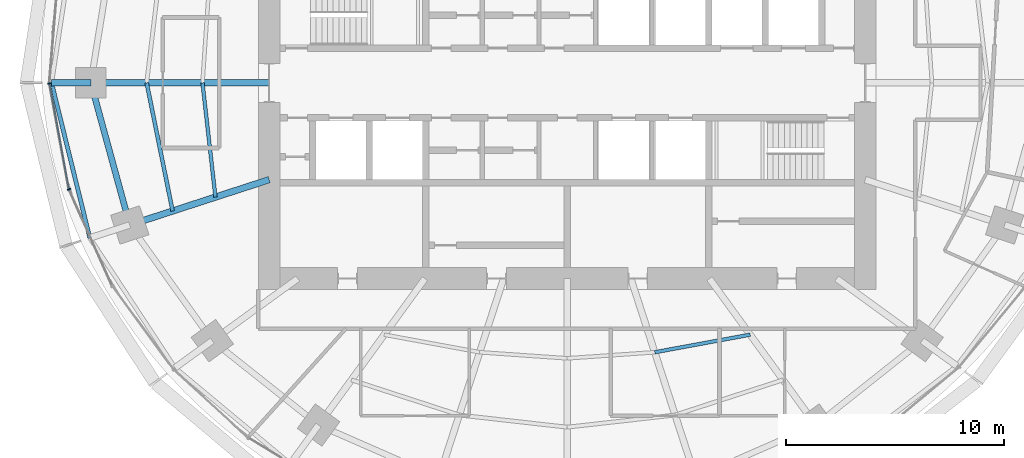
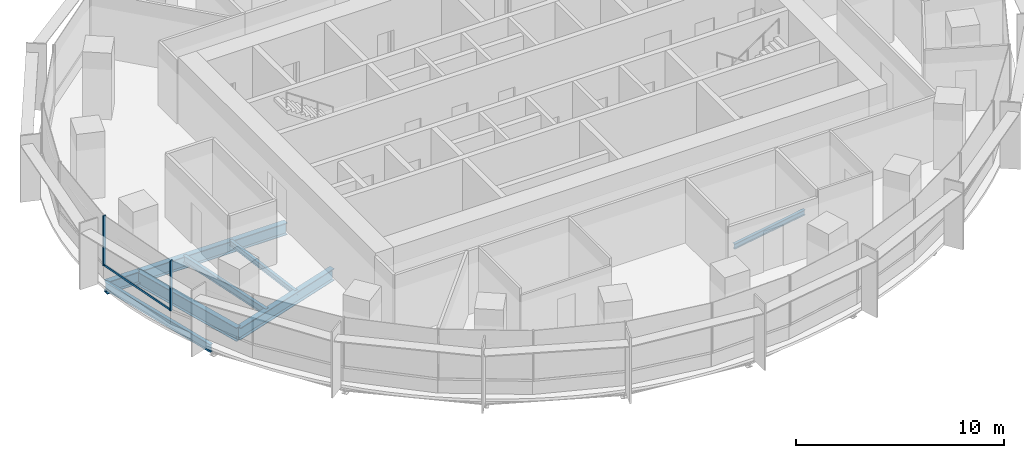
# One storey, part 3 of 15: 8 beams, 3 members, 1 element without a shape of its own.
"""IFC4 building model written with IfcOpenShell, lengths in metres."""

from ifc_helpers import new_model, si_unit, direction, frame, origin, origin_2d, place, context, subcontext, project, spatial, rectangle, i_section, extrude, material, material_profile, profile_set, type_object, element, aggregate, save


model = new_model("IFC4")

# Units and contexts
model_context = context("Model", 3, precision=1e-05, world=origin(), true_north=direction((0.0, 1.0)))
body_context = subcontext(model_context, "Body", "Model", "MODEL_VIEW")
ifc_project = project(units=[si_unit("LENGTHUNIT", "METRE"), si_unit("AREAUNIT", "SQUARE_METRE"), si_unit("VOLUMEUNIT", "CUBIC_METRE"), si_unit("PLANEANGLEUNIT", "RADIAN"), si_unit("MASSUNIT", "GRAM", prefix="KILO")], contexts=[model_context])

# Site, building, storey
site_placement = place(None, origin())
site = spatial("IfcSite", under=ifc_project, at=site_placement, CompositionType="ELEMENT")
building_placement = place(site_placement, origin())
building = spatial("IfcBuilding", under=site, at=building_placement, Name="Marramba Exchange Tower", CompositionType="ELEMENT")
storey_placement = place(building_placement, frame((0.0, 0.0, 207.199951171875)))
storey = spatial("IfcBuildingStorey", under=building, at=storey_placement, Name="L50", CompositionType="ELEMENT", Elevation=207.199951171875)

# Beams
ifc_material_1 = material(Name="Steel AS/NZS 3679.2 grade 300", Category="steel")
ifc_material_profile_1 = material_profile(ifc_material_1, i_section(OverallWidth=0.300048828125, OverallDepth=0.699951171875, WebThickness=0.010009765625, FlangeThickness=0.031982421875, at=origin_2d()), Name="700WB173")
ifc_profile_set_1 = profile_set([ifc_material_profile_1], Name="Steel AS/NZS 3679.2 grade 300")
beam_type_1 = type_object("IfcBeamType", Name="Cantilever girder 700WB173", PredefinedType="BEAM", material=ifc_profile_set_1)
beam_1_placement = place(storey_placement, frame((-21.89990234375, 0.0, -0.510009765625), z_axis=(-1.0, 0.0, 0.0), x_axis=(0.0, -1.0, 0.0)))
element("IfcBeam", 1, at=beam_1_placement, inside=storey, type_object=beam_type_1, Name="Cantilever girder L50 TC11", PredefinedType="BEAM", context=body_context, shape_type="SweptSolid", body=[
    extrude(i_section(OverallWidth=0.300048828125, OverallDepth=0.699951171875, WebThickness=0.010009765625, FlangeThickness=0.031982421875, at=origin_2d()), origin(), (0.0, 0.0, 1.0), 1.80615234375),
])
ifc_material_2 = material(Name="Steel AS/NZS 3679.1 grade 300", Category="steel")
ifc_material_profile_2 = material_profile(ifc_material_2, i_section(OverallWidth=0.166015625, OverallDepth=0.306884765625, WebThickness=0.006591796875, FlangeThickness=0.01171875, FilletRadius=0.011474609375, at=origin_2d()), Name="310UB46.2")
ifc_profile_set_2 = profile_set([ifc_material_profile_2], Name="Steel AS/NZS 3679.1 grade 300")
beam_type_2 = type_object("IfcBeamType", Name="Floor joist 310UB46.2", PredefinedType="JOIST", material=ifc_profile_set_2)
beam_2_placement = place(storey_placement, frame((-16.7666015625, 0.0, -0.3134765625), z_axis=(0.112888968594, -0.993607609054, 0.0), x_axis=(0.993607609054, 0.112888968594, 0.0)))
element("IfcBeam", 2, at=beam_2_placement, inside=storey, type_object=beam_type_2, Name="Joist L50 bay 11 row 1", PredefinedType="JOIST", context=body_context, shape_type="SweptSolid", body=[
    extrude(i_section(OverallWidth=0.166015625, OverallDepth=0.306884765625, WebThickness=0.006591796875, FlangeThickness=0.01171875, FilletRadius=0.011474609375, at=origin_2d()), origin(), (0.0, 0.0, 1.0), 5.28759765625),
])
beam_3_placement = place(storey_placement, frame((4.0244140625, -12.3857421875, -0.3134765625), z_axis=(0.983455754421, 0.181148500119, 0.0), x_axis=(-0.181148500119, 0.983455754421, 0.0)))
element("IfcBeam", 3, at=beam_3_placement, inside=storey, type_object=beam_type_2, Name="Joist L50 bay 17 row 1", PredefinedType="JOIST", context=body_context, shape_type="SweptSolid", body=[
    extrude(i_section(OverallWidth=0.166015625, OverallDepth=0.306884765625, WebThickness=0.006591796875, FlangeThickness=0.01171875, FilletRadius=0.011474609375, at=origin_2d()), origin(), (0.0, 0.0, 1.0), 4.4609375),
])
ifc_material_profile_3 = material_profile(ifc_material_2, i_section(OverallWidth=0.177978515625, OverallDepth=0.406005859375, WebThickness=0.0078125, FlangeThickness=0.0126953125, FilletRadius=0.011474609375, at=origin_2d()), Name="410UB59.7")
ifc_profile_set_3 = profile_set([ifc_material_profile_3], Name="Steel AS/NZS 3679.1 grade 300")
beam_type_3 = type_object("IfcBeamType", Name="Floor joist 410UB59.7", PredefinedType="JOIST", material=ifc_profile_set_3)
beam_4_placement = place(storey_placement, frame((-19.333251953125, 0.0, -0.363037109375), z_axis=(0.198489047047, -0.980103105904, 0.0), x_axis=(0.980103105904, 0.198489047047, 0.0)))
element("IfcBeam", 4, at=beam_4_placement, inside=storey, type_object=beam_type_3, Name="Joist L50 bay 11 row 2", PredefinedType="JOIST", context=body_context, shape_type="SweptSolid", body=[
    extrude(i_section(OverallWidth=0.177978515625, OverallDepth=0.406005859375, WebThickness=0.0078125, FlangeThickness=0.0126953125, FilletRadius=0.011474609375, at=origin_2d()), origin(), (0.0, 0.0, 1.0), 6.013427734375),
])

# Curtain wall, members
ifc_material_3 = material(Name="Aluminium framing, bronze anodised", Category="aluminium")
curtain_wall_type = type_object("IfcCurtainWallType", Name="Office ribbon curtain wall", PredefinedType="USERDEFINED", material=ifc_material_3)
curtain_wall_placement = place(storey_placement, origin())
curtain_wall = element("IfcCurtainWall", 5, at=curtain_wall_placement, inside=storey, type_object=curtain_wall_type, Name="Curtain wall CW4 L50 F16-F20", ObjectType="RIBBON CURTAIN WALL", PredefinedType="USERDEFINED")
ifc_material_4 = material(Name="Aluminium mullion, bronze anodised", Category="aluminium")
ifc_material_profile_4 = material_profile(ifc_material_4, rectangle(XDim=0.159912109375, YDim=0.06005859375, at=origin_2d()), Name="CW4 mullion 60x160")
ifc_profile_set_4 = profile_set([ifc_material_profile_4], Name="Aluminium mullion, bronze anodised")
member_type_1 = type_object("IfcMemberType", Name="Office ribbon curtain wall mullion", PredefinedType="MULLION", material=ifc_profile_set_4)
member_1_placement = place(storey_placement, frame((-23.800537109375, -0.029541015625, 0.800048828125), z_axis=(0.0, 0.0, 1.0), x_axis=(0.983606636184, 0.180327438996, 0.0)))
member_1 = element("IfcMember", 6, at=member_1_placement, type_object=member_type_1, Name="CW4 mullion 1", PredefinedType="MULLION", context=body_context, shape_type="SweptSolid", body=[
    extrude(rectangle(XDim=0.159912109375, YDim=0.06005859375, at=origin_2d()), origin(), (0.0, 0.0, 1.0), 2.93994140625),
])
member_2_placement = place(storey_placement, frame((-22.90087890625, -4.897705078125, 0.800048828125), z_axis=(0.0, 0.0, 1.0), x_axis=(0.913179510401, 0.407557580942, 0.0)))
member_2 = element("IfcMember", 7, at=member_2_placement, type_object=member_type_1, Name="CW4 mullion 1", PredefinedType="MULLION", context=body_context, shape_type="SweptSolid", body=[
    extrude(rectangle(XDim=0.159912109375, YDim=0.06005859375, at=origin_2d()), origin(), (0.0, 0.0, 1.0), 2.93994140625),
])
ifc_material_5 = material(Name="Aluminium transom, bronze anodised", Category="aluminium")
ifc_material_profile_5 = material_profile(ifc_material_5, rectangle(XDim=0.06005859375, YDim=0.1201171875, at=origin_2d()), Name="CW4 transom 60x120")
ifc_profile_set_5 = profile_set([ifc_material_profile_5], Name="Aluminium transom, bronze anodised")
member_type_2 = type_object("IfcMemberType", Name="Office ribbon curtain wall transom", PredefinedType="USERDEFINED", material=ifc_profile_set_5)
member_3_placement = place(storey_placement, frame((-23.795166015625, -0.05908203125, 0.830078125), z_axis=(0.180330283276, -0.98360611473, 0.0), x_axis=(0.98360611473, 0.180330283276, 0.0)))
member_3 = element("IfcMember", 8, at=member_3_placement, type_object=member_type_2, Name="CW4 sill transom", ObjectType="TRANSOM", PredefinedType="USERDEFINED", context=body_context, shape_type="SweptSolid", body=[
    extrude(rectangle(XDim=0.06005859375, YDim=0.1201171875, at=origin_2d()), origin(), (0.0, 0.0, 1.0), 4.891357421875),
])
aggregate(curtain_wall, [member_1, member_3, member_2])

# Beams
ifc_material_profile_6 = material_profile(ifc_material_1, i_section(OverallWidth=0.300048828125, OverallDepth=0.699951171875, WebThickness=0.010009765625, FlangeThickness=0.031982421875, at=origin_2d()), Name="700WB173")
ifc_profile_set_6 = profile_set([ifc_material_profile_6], Name="Steel AS/NZS 3679.2 grade 300")
beam_type_4 = type_object("IfcBeamType", Name="Radial girder 700WB173", PredefinedType="BEAM", material=ifc_profile_set_6)
beam_5_placement = place(storey_placement, frame((-13.699951171875, 0.0, -0.510009765625), z_axis=(-1.0, 0.0, 0.0), x_axis=(0.0, -1.0, 0.0)))
element("IfcBeam", 9, at=beam_5_placement, inside=storey, type_object=beam_type_4, Name="Radial girder L50 TC11", PredefinedType="BEAM", context=body_context, shape_type="SweptSolid", body=[
    extrude(i_section(OverallWidth=0.300048828125, OverallDepth=0.699951171875, WebThickness=0.010009765625, FlangeThickness=0.031982421875, at=origin_2d()), origin(), (0.0, 0.0, 1.0), 8.199951171875),
])
beam_6_placement = place(storey_placement, frame((-13.699951171875, -4.451416015625, -0.510009765625), z_axis=(-0.951057759669, -0.309013167637, 0.0), x_axis=(0.309013167637, -0.951057759669, 0.0)))
element("IfcBeam", 10, at=beam_6_placement, inside=storey, type_object=beam_type_4, Name="Radial girder L50 TC12", PredefinedType="BEAM", context=body_context, shape_type="SweptSolid", body=[
    extrude(i_section(OverallWidth=0.300048828125, OverallDepth=0.699951171875, WebThickness=0.010009765625, FlangeThickness=0.031982421875, at=origin_2d()), origin(), (0.0, 0.0, 1.0), 6.7392578125),
])
ifc_material_profile_7 = material_profile(ifc_material_1, i_section(OverallWidth=0.27490234375, OverallDepth=0.800048828125, WebThickness=0.010009765625, FlangeThickness=0.02490234375, at=origin_2d()), Name="800WB168")
ifc_profile_set_7 = profile_set([ifc_material_profile_7], Name="Steel AS/NZS 3679.2 grade 300")
beam_type_5 = type_object("IfcBeamType", Name="Ring beam 800WB168", PredefinedType="SPANDREL", material=ifc_profile_set_7)
beam_7_placement = place(storey_placement, frame((-21.89990234375, 0.0, -0.56005859375), z_axis=(0.264291166956, -0.964442937176, 0.0), x_axis=(0.964442937176, 0.264291166956, 0.0)))
element("IfcBeam", 11, at=beam_7_placement, inside=storey, type_object=beam_type_5, Name="Ring beam L50 TC11-TC12", PredefinedType="SPANDREL", context=body_context, shape_type="SweptSolid", body=[
    extrude(i_section(OverallWidth=0.27490234375, OverallDepth=0.800048828125, WebThickness=0.010009765625, FlangeThickness=0.02490234375, at=origin_2d()), origin(), (0.0, 0.0, 1.0), 6.77490234375),
])
ifc_material_profile_8 = material_profile(ifc_material_2, i_section(OverallWidth=0.19091796875, OverallDepth=0.4599609375, WebThickness=0.010009765625, FlangeThickness=0.01611328125, FilletRadius=0.011474609375, at=origin_2d()), Name="460UB82.1")
ifc_profile_set_8 = profile_set([ifc_material_profile_8], Name="Steel AS/NZS 3679.1 grade 300")
beam_type_6 = type_object("IfcBeamType", Name="Slab edge beam 460UB82.1", PredefinedType="SPANDREL", material=ifc_profile_set_8)
beam_8_placement = place(storey_placement, frame((-23.7060546875, 0.0, -0.389892578125), z_axis=(0.23973454413, -0.970838476963, 0.0), x_axis=(0.970838476963, 0.23973454413, 0.0)))
element("IfcBeam", 12, at=beam_8_placement, inside=storey, type_object=beam_type_6, Name="Slab edge beam L50 TC11-TC12", PredefinedType="SPANDREL", context=body_context, shape_type="SweptSolid", body=[
    extrude(i_section(OverallWidth=0.19091796875, OverallDepth=0.4599609375, WebThickness=0.010009765625, FlangeThickness=0.01611328125, FilletRadius=0.011474609375, at=origin_2d()), origin(), (0.0, 0.0, 1.0), 7.344482421875),
])

save(model, "model.ifc")
